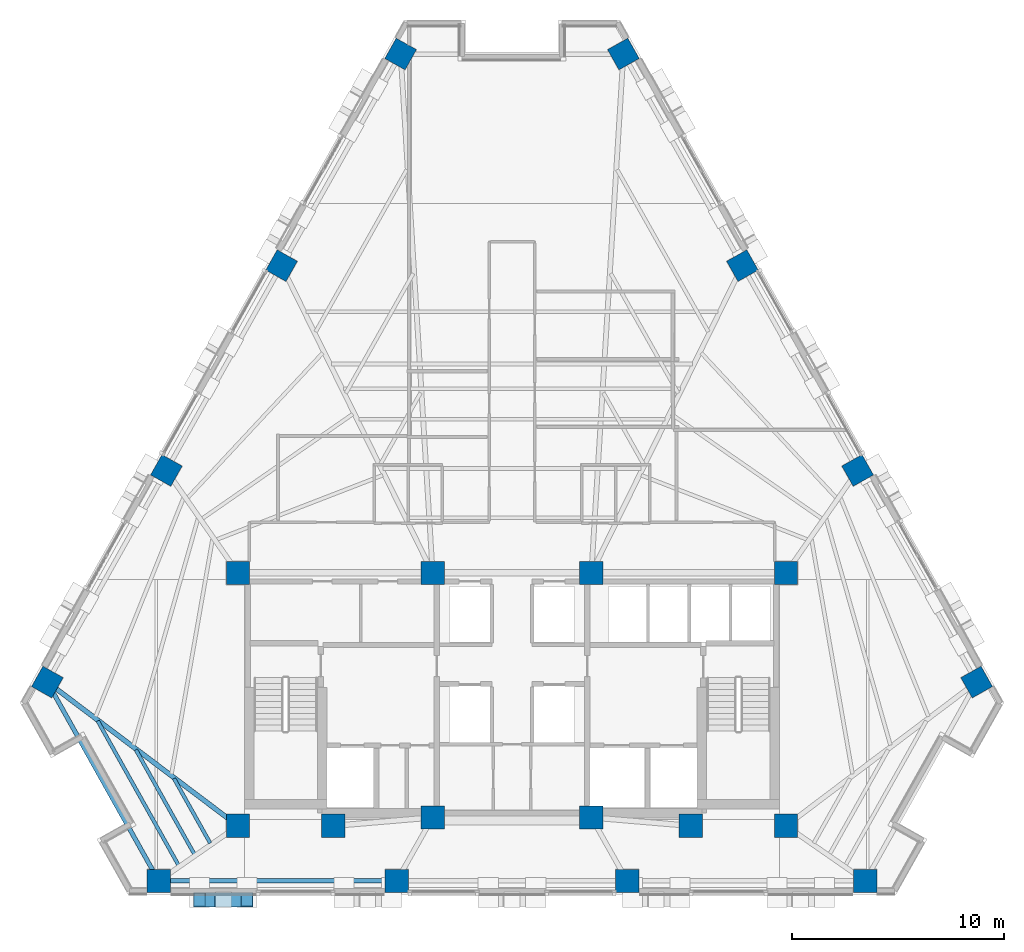
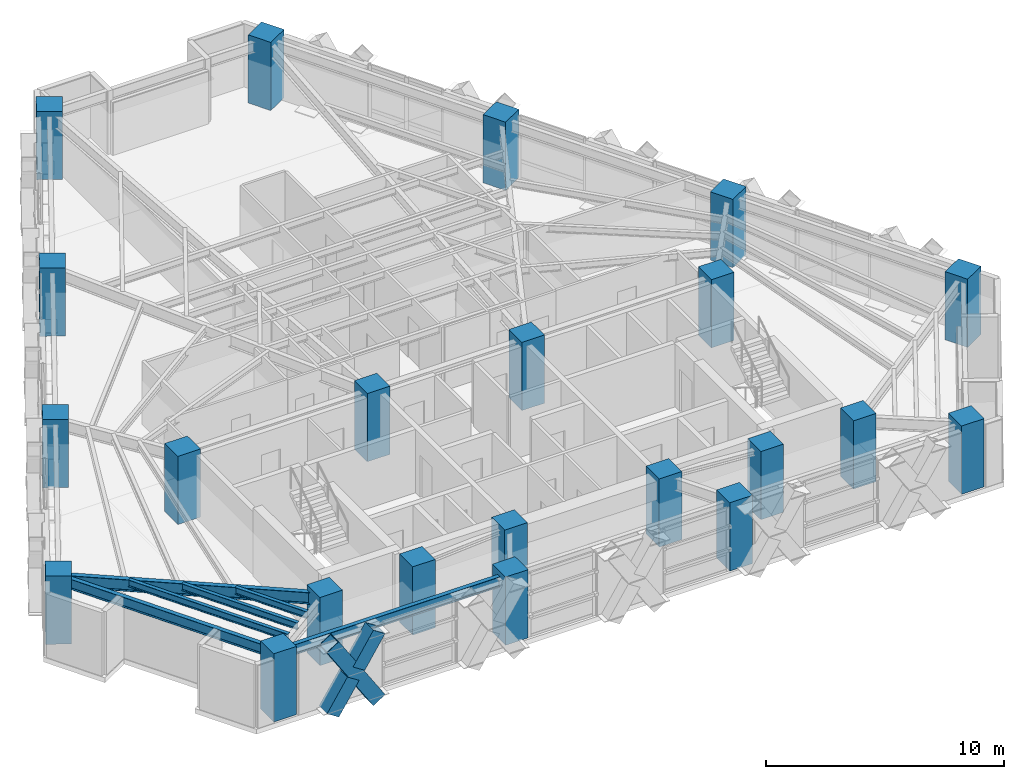
# One storey, part 1 of 14: 22 columns, 6 beams, 3 members.
"""IFC4 building model written with IfcOpenShell, lengths in metres."""

from ifc_helpers import new_model, si_unit, direction, frame, origin, origin_2d, place, context, subcontext, project, spatial, rectangle, hollow_rectangle, i_section, extrude, material, material_profile, profile_set, type_object, element, save


model = new_model("IFC4")

# Units and contexts
model_context = context("Model", 3, precision=1e-05, world=origin(), true_north=direction((0.0, 1.0)))
body_context = subcontext(model_context, "Body", "Model", "MODEL_VIEW")
ifc_project = project(units=[si_unit("LENGTHUNIT", "METRE"), si_unit("AREAUNIT", "SQUARE_METRE"), si_unit("VOLUMEUNIT", "CUBIC_METRE"), si_unit("PLANEANGLEUNIT", "RADIAN"), si_unit("MASSUNIT", "GRAM", prefix="KILO")], contexts=[model_context])

# Site, building, storey
site_placement = place(None, origin())
site = spatial("IfcSite", under=ifc_project, at=site_placement, CompositionType="ELEMENT")
building_placement = place(site_placement, origin())
building = spatial("IfcBuilding", under=site, at=building_placement, Name="Quenlor Broadcast Tower", CompositionType="ELEMENT")
storey_placement = place(building_placement, frame((0.0, 0.0, 112.5)))
storey = spatial("IfcBuildingStorey", under=building, at=storey_placement, Name="L30", CompositionType="ELEMENT", Elevation=112.5)

# Columns
ifc_material_1 = material(Name="Concrete C65/80", Category="concrete")
ifc_material_profile_1 = material_profile(ifc_material_1, rectangle(XDim=1.10009765625, YDim=1.10009765625, at=origin_2d()))
ifc_profile_set_1 = profile_set([ifc_material_profile_1], Name="Concrete C65/80 RC1100x1100")
column_type_1 = type_object("IfcColumnType", Name="Core Corner Column Mid Concrete C65/80 1100", PredefinedType="COLUMN", material=ifc_profile_set_1)
for number, where, z_axis, x_axis, name in (
    (1, (-12.949951171875, -16.75, 0.0), (0.0, 0.0, 1.0), (1.0, 0.0, 0.0), "L30 Core Column CC1"),
    (2, (-8.449951171875, -16.75, 0.0), (0.0, 0.0, 1.0), (1.0, 0.0, 0.0), "L30 Core Column CC2"),
    (3, (-3.75, -16.35009765625, 0.0), (0.0, 0.0, 1.0), (1.0, 0.0, 0.0), "L30 Core Column CC3"),
    (4, (3.75, -16.35009765625, 0.0), (0.0, 0.0, 1.0), (1.0, 0.0, 0.0), "L30 Core Column CC4"),
    (5, (8.449951171875, -16.75, 0.0), (0.0, 0.0, 1.0), (1.0, 0.0, 0.0), "L30 Core Column CC5"),
    (6, (12.949951171875, -16.75, 0.0), (0.0, 0.0, 1.0), (1.0, 0.0, 0.0), "L30 Core Column CC6"),
    (7, (-12.949951171875, -4.800048828125, 0.0), (0.0, 0.0, 1.0), (1.0, 0.0, 0.0), "L30 Core Column CC7"),
    (8, (-3.75, -4.800048828125, 0.0), (0.0, 0.0, 1.0), (1.0, 0.0, 0.0), "L30 Core Column CC8"),
    (9, (3.75, -4.800048828125, 0.0), (0.0, 0.0, 1.0), (1.0, 0.0, 0.0), "L30 Core Column CC9"),
    (10, (12.949951171875, -4.800048828125, 0.0), (0.0, 0.0, 1.0), (1.0, 0.0, 0.0), "L30 Core Column CC10"),
):
    element("IfcColumn", number, at=place(storey_placement, frame(where, z_axis=z_axis, x_axis=x_axis)), inside=storey, type_object=column_type_1, Name=name, PredefinedType="COLUMN", context=body_context, shape_type="SweptSolid", body=[
        extrude(rectangle(XDim=1.10009765625, YDim=1.10009765625, at=origin_2d()), origin(), (0.0, 0.0, 1.0), 3.5),
    ])
ifc_material_2 = material(Name="Concrete C65/80", Category="concrete")
ifc_material_profile_2 = material_profile(ifc_material_2, rectangle(XDim=1.10009765625, YDim=1.10009765625, at=origin_2d()))
ifc_profile_set_2 = profile_set([ifc_material_profile_2], Name="Concrete C65/80 RC1100x1100")
column_type_2 = type_object("IfcColumnType", Name="Tower Perimeter Column Z2 Concrete C65/80 1100", PredefinedType="COLUMN", material=ifc_profile_set_2)
for number, where, z_axis, x_axis, name in (
    (11, (-16.6923828125, -19.35009765625, 0.0), (0.0, 0.0, 1.0), (0.0, 1.0, 0.0), "L30 Perimeter Column S1"),
    (12, (-5.443115234375, -19.35009765625, 0.0), (0.0, 0.0, 1.0), (0.0, 1.0, 0.0), "L30 Perimeter Column S2"),
    (13, (5.443115234375, -19.35009765625, 0.0), (0.0, 0.0, 1.0), (0.0, 1.0, 0.0), "L30 Perimeter Column S3"),
    (14, (16.6923828125, -19.35009765625, 0.0), (0.0, 0.0, 1.0), (0.0, 1.0, 0.0), "L30 Perimeter Column S4"),
    (15, (21.95458984375, -9.95654296875, 0.0), (0.0, 0.0, 1.0), (0.871575139605, 0.490261946333, 0.0), "L30 Perimeter Column NE1"),
    (16, (16.330078125, 0.04296875, 0.0), (0.0, 0.0, 1.0), (0.871575139605, 0.490261946333, 0.0), "L30 Perimeter Column NE2"),
    (17, (10.886962890625, 9.7197265625, 0.0), (0.0, 0.0, 1.0), (0.871575139605, 0.490261946333, 0.0), "L30 Perimeter Column NE3"),
    (18, (5.26220703125, 19.718994140625, 0.0), (0.0, 0.0, 1.0), (0.871575139605, 0.490261946333, 0.0), "L30 Perimeter Column NE4"),
    (19, (-5.26220703125, 19.718994140625, 0.0), (0.0, 0.0, 1.0), (-0.871575139605, 0.490261946333, 0.0), "L30 Perimeter Column NW1"),
    (20, (-10.886962890625, 9.7197265625, 0.0), (0.0, 0.0, 1.0), (-0.871575139605, 0.490261946333, 0.0), "L30 Perimeter Column NW2"),
    (21, (-16.330078125, 0.04296875, 0.0), (0.0, 0.0, 1.0), (-0.871575139605, 0.490261946333, 0.0), "L30 Perimeter Column NW3"),
    (22, (-21.95458984375, -9.95654296875, 0.0), (0.0, 0.0, 1.0), (-0.871575139605, 0.490261946333, 0.0), "L30 Perimeter Column NW4"),
):
    element("IfcColumn", number, at=place(storey_placement, frame(where, z_axis=z_axis, x_axis=x_axis)), inside=storey, type_object=column_type_2, Name=name, PredefinedType="COLUMN", context=body_context, shape_type="SweptSolid", body=[
        extrude(rectangle(XDim=1.10009765625, YDim=1.10009765625, at=origin_2d()), origin(), (0.0, 0.0, 1.0), 3.5),
    ])

# Members
ifc_material_3 = material(Name="Steel S355", Category="steel")
ifc_material_profile_3 = material_profile(ifc_material_3, hollow_rectangle(XDim=0.679931640625, YDim=0.679931640625, WallThickness=0.030029296875, at=origin_2d()))
ifc_profile_set_3 = profile_set([ifc_material_profile_3], Name="Steel S355 RHS680x680x30")
member_type = type_object("IfcMemberType", Name="Perimeter Diagonal Lattice Brace Z2 Steel S355 RHS680x30", PredefinedType="BRACE", material=ifc_profile_set_3)
member_1_placement = place(storey_placement, frame((-12.5126953125, -20.235107421875, -0.1201171875), z_axis=(-0.539926440573, 0.0, 0.841712206618), x_axis=(0.0, -1.0, 0.0)))
element("IfcMember", 23, at=member_1_placement, inside=storey, type_object=member_type, Name="L30 Perimeter Diamond Lattice S-C5XA", PredefinedType="BRACE", context=body_context, shape_type="SweptSolid", body=[
    extrude(hollow_rectangle(XDim=0.679931640625, YDim=0.679931640625, WallThickness=0.030029296875, at=origin_2d()), origin(), (0.0, 0.0, 1.0), 4.158203125),
])
member_2_placement = place(storey_placement, frame((-14.7578125, -20.235107421875, -0.1201171875), z_axis=(0.539860138754, 0.0, 0.841754733034), x_axis=(0.0, 1.0, 0.0)))
element("IfcMember", 24, at=member_2_placement, inside=storey, type_object=member_type, Name="L30 Perimeter Diamond Lattice S-C5XB1", PredefinedType="BRACE", context=body_context, shape_type="SweptSolid", body=[
    extrude(hollow_rectangle(XDim=0.679931640625, YDim=0.679931640625, WallThickness=0.030029296875, at=origin_2d()), origin(), (0.0, 0.0, 1.0), 1.829345703125),
])
member_3_placement = place(storey_placement, frame((-13.500244140625, -20.235107421875, 1.84033203125), z_axis=(0.539920793993, 0.0, 0.841715828658), x_axis=(0.0, 1.0, 0.0)))
element("IfcMember", 25, at=member_3_placement, inside=storey, type_object=member_type, Name="L30 Perimeter Diamond Lattice S-C5XB2", PredefinedType="BRACE", context=body_context, shape_type="SweptSolid", body=[
    extrude(hollow_rectangle(XDim=0.679931640625, YDim=0.679931640625, WallThickness=0.030029296875, at=origin_2d()), origin(), (0.0, 0.0, 1.0), 1.8291015625),
])

# Beams
ifc_material_4 = material(Name="Steel S355", Category="steel")
ifc_material_profile_4 = material_profile(ifc_material_4, i_section(OverallWidth=0.208984375, OverallDepth=0.5283203125, WebThickness=0.009521484375, FlangeThickness=0.01318359375, FilletRadius=0.013916015625, at=origin_2d()))
ifc_profile_set_4 = profile_set([ifc_material_profile_4], Name="Steel S355 530UB82.0")
beam_type_1 = type_object("IfcBeamType", Name="Perimeter Spandrel Beam Z2 Steel S355 530UB82.0", PredefinedType="SPANDREL", material=ifc_profile_set_4)
beam_1_placement = place(storey_placement, frame((-16.282470703125, -19.35009765625, 2.98583984375), z_axis=(1.0, 0.0, 0.0), x_axis=(0.0, 1.0, 0.0)))
element("IfcBeam", 26, at=beam_1_placement, inside=storey, type_object=beam_type_1, Name="L30 Spandrel Beam S1-S2", PredefinedType="SPANDREL", context=body_context, shape_type="SweptSolid", body=[
    extrude(i_section(OverallWidth=0.208984375, OverallDepth=0.5283203125, WebThickness=0.009521484375, FlangeThickness=0.01318359375, FilletRadius=0.013916015625, at=origin_2d()), origin(), (0.0, 0.0, 1.0), 10.42919921875),
])
beam_2_placement = place(storey_placement, frame((-21.75439453125, -10.314208984375, 2.98583984375), z_axis=(0.488749102779, -0.872424389006, 0.0), x_axis=(0.872424389006, 0.488749102779, 0.0)))
element("IfcBeam", 27, at=beam_2_placement, inside=storey, type_object=beam_type_1, Name="L30 Spandrel Beam NW4-S1", PredefinedType="SPANDREL", context=body_context, shape_type="SweptSolid", body=[
    extrude(i_section(OverallWidth=0.208984375, OverallDepth=0.5283203125, WebThickness=0.009521484375, FlangeThickness=0.01318359375, FilletRadius=0.013916015625, at=origin_2d()), origin(), (0.0, 0.0, 1.0), 9.947021484375),
])
ifc_material_5 = material(Name="Steel S355", Category="steel")
ifc_material_profile_5 = material_profile(ifc_material_5, i_section(OverallWidth=0.172119140625, OverallDepth=0.358642578125, WebThickness=0.008056640625, FlangeThickness=0.012939453125, FilletRadius=0.011474609375, at=origin_2d()))
ifc_profile_set_5 = profile_set([ifc_material_profile_5], Name="Steel S355 360UB56.7")
beam_type_2 = type_object("IfcBeamType", Name="Tower Composite Joist Z2-Z3 Steel S355 360UB56.7", PredefinedType="JOIST", material=ifc_profile_set_5)
beam_3_placement = place(storey_placement, frame((-14.261474609375, -17.564208984375, 3.07080078125), z_axis=(-0.488730779643, 0.87243465373, 0.0), x_axis=(-0.87243465373, -0.488730779643, 0.0)))
element("IfcBeam", 28, at=beam_3_placement, inside=storey, type_object=beam_type_2, Name="L30 Secondary Composite Joist 19", PredefinedType="JOIST", context=body_context, shape_type="SweptSolid", body=[
    extrude(i_section(OverallWidth=0.172119140625, OverallDepth=0.358642578125, WebThickness=0.008056640625, FlangeThickness=0.012939453125, FilletRadius=0.011474609375, at=origin_2d()), origin(), (0.0, 0.0, 1.0), 3.500732421875),
])
beam_4_placement = place(storey_placement, frame((-15.010009765625, -18.084228515625, 3.07080078125), z_axis=(-0.488741419435, 0.87242869332, 0.0), x_axis=(-0.87242869332, -0.488741419435, 0.0)))
element("IfcBeam", 29, at=beam_4_placement, inside=storey, type_object=beam_type_2, Name="L30 Secondary Composite Joist 20", PredefinedType="JOIST", context=body_context, shape_type="SweptSolid", body=[
    extrude(i_section(OverallWidth=0.172119140625, OverallDepth=0.358642578125, WebThickness=0.008056640625, FlangeThickness=0.012939453125, FilletRadius=0.011474609375, at=origin_2d()), origin(), (0.0, 0.0, 1.0), 5.654052734375),
])
beam_5_placement = place(storey_placement, frame((-15.758544921875, -18.604248046875, 3.07080078125), z_axis=(-0.488732857155, 0.872433489922, 0.0), x_axis=(-0.872433489922, -0.488732857155, 0.0)))
element("IfcBeam", 30, at=beam_5_placement, inside=storey, type_object=beam_type_2, Name="L30 Secondary Composite Joist 21", PredefinedType="JOIST", context=body_context, shape_type="SweptSolid", body=[
    extrude(i_section(OverallWidth=0.172119140625, OverallDepth=0.358642578125, WebThickness=0.008056640625, FlangeThickness=0.012939453125, FilletRadius=0.011474609375, at=origin_2d()), origin(), (0.0, 0.0, 1.0), 7.807861328125),
])
ifc_material_6 = material(Name="Steel S355", Category="steel")
ifc_material_profile_6 = material_profile(ifc_material_6, i_section(OverallWidth=0.22802734375, OverallDepth=0.60205078125, WebThickness=0.010498046875, FlangeThickness=0.014892578125, FilletRadius=0.013916015625, at=origin_2d()))
ifc_profile_set_6 = profile_set([ifc_material_profile_6], Name="Steel S355 610UB101")
beam_type_3 = type_object("IfcBeamType", Name="Tower Primary Floor Beam Z2 Steel S355 610UB101", PredefinedType="BEAM", material=ifc_profile_set_6)
beam_6_placement = place(storey_placement, frame((-21.62744140625, -10.203369140625, 2.948974609375), z_axis=(0.798298724007, -0.602261693327, 0.0), x_axis=(0.602261693327, 0.798298724007, 0.0)))
element("IfcBeam", 31, at=beam_6_placement, inside=storey, type_object=beam_type_3, Name="L30 Primary Radial Beam NW4", PredefinedType="BEAM", context=body_context, shape_type="SweptSolid", body=[
    extrude(i_section(OverallWidth=0.22802734375, OverallDepth=0.60205078125, WebThickness=0.010498046875, FlangeThickness=0.014892578125, FilletRadius=0.013916015625, at=origin_2d()), origin(), (0.0, 0.0, 1.0), 10.48974609375),
])

save(model, "model.ifc")
